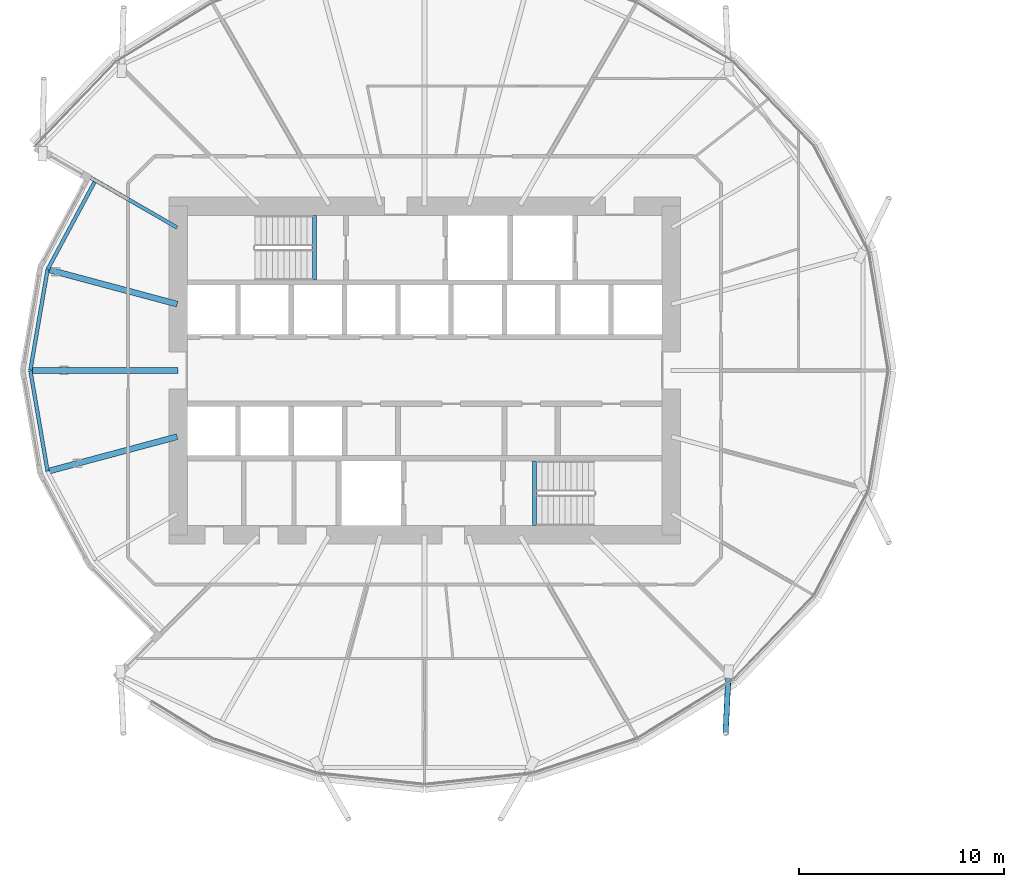
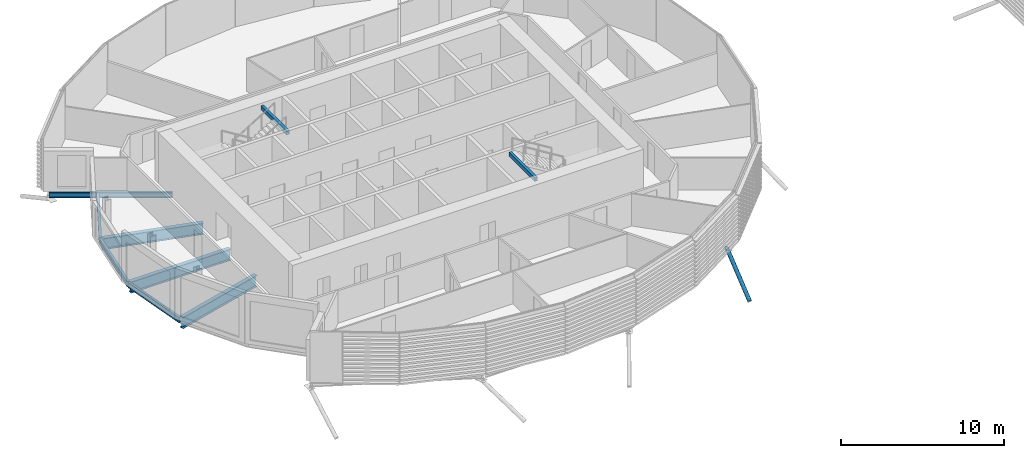
# One storey, part 5 of 38: 9 beams, 1 member.
"""IFC4 building model written with IfcOpenShell, lengths in metres."""

import ifcopenshell
import ifcopenshell.guid

model = None  # the IFC model being written
_history = None  # IfcOwnerHistory: only IFC2X3 demands one
_inside = {}  # id of a spatial element -> (the spatial element, [elements in it])
_under = {}  # id of a project, library or spatial element -> (it, [spatial elements below it])
_declared = {}  # id of a project -> (the project, [libraries it declares])
_typed = {}  # id of a type object -> (the type object, [elements of that type])
_made_of = {}  # id of a material, layer set ... -> (it, [elements and type objects made of it])


def new_model(schema):
    """Start an empty IFC model of exactly this schema.

    Asked for "IFC4X3", IfcOpenShell would pick the latest addendum, in which some entities
    have other attributes; the version numbers below select the first issue.
    IFC2X3 requires an IfcOwnerHistory on every rooted entity: one is made here for all.
    """
    global model, _history
    if schema == "IFC4X3":
        model = ifcopenshell.file(schema_version=(4, 3, 0, 0))
    else:
        model = ifcopenshell.file(schema=schema)
    _inside.clear()
    _under.clear()
    _declared.clear()
    _typed.clear()
    _made_of.clear()
    _history = None
    if model.schema == "IFC2X3":
        org = make("IfcOrganization", Name="unknown")
        user = make(
            "IfcPersonAndOrganization",
            ThePerson=make("IfcPerson", FamilyName="unknown"),
            TheOrganization=org,
        )
        app = make(
            "IfcApplication",
            ApplicationDeveloper=org,
            Version="unknown",
            ApplicationFullName="unknown",
            ApplicationIdentifier="unknown",
        )
        _history = make(
            "IfcOwnerHistory",
            OwningUser=user,
            OwningApplication=app,
            ChangeAction="ADDED",
            CreationDate=0,
        )
    return model


def make(cls, **values):
    """One entity of the class cls with the attributes given. An attribute that is None is left unset."""
    return model.create_entity(
        cls, **{name: value for name, value in values.items() if value is not None}
    )


def rooted(cls, **values):
    """An entity with a GlobalId (a new one), such as an element, a storey or a relation."""
    return make(cls, GlobalId=ifcopenshell.guid.new(), OwnerHistory=_history, **values)


def si_unit(unit_type, name, prefix=None):
    """IfcSIUnit, for example si_unit("LENGTHUNIT", "METRE", prefix="MILLI")."""
    return make("IfcSIUnit", UnitType=unit_type, Prefix=prefix, Name=name)


def assignment(units):
    """IfcUnitAssignment: the units of a project."""
    return None if units is None else make("IfcUnitAssignment", Units=units)


def point(xyz):
    """IfcCartesianPoint."""
    return None if xyz is None else make("IfcCartesianPoint", Coordinates=xyz)


def direction(xyz):
    """IfcDirection."""
    return None if xyz is None else make("IfcDirection", DirectionRatios=xyz)


def frame(location, z_axis=None, x_axis=None):
    """IfcAxis2Placement3D, a coordinate frame: its origin and axes. An axis left out is left unset."""
    return make(
        "IfcAxis2Placement3D",
        Location=point(location),
        Axis=direction(z_axis),
        RefDirection=direction(x_axis),
    )


def frame_2d(location, x_axis=None):
    """IfcAxis2Placement2D, a coordinate frame in the plane: its origin and x axis."""
    return make(
        "IfcAxis2Placement2D", Location=point(location), RefDirection=direction(x_axis)
    )


def origin():
    """The frame at (0, 0, 0) with its axes left unset."""
    return frame((0.0, 0.0, 0.0))


def origin_2d():
    """The frame at (0, 0) in the plane with its x axis left unset."""
    return frame_2d((0.0, 0.0))


def place(relative_to, where):
    """IfcLocalPlacement: puts the frame where relative to a parent placement (None: the world)."""
    return make(
        "IfcLocalPlacement", PlacementRelTo=relative_to, RelativePlacement=where
    )


def context(
    kind, dimensions, precision=None, world=None, true_north=None, identifier=None
):
    """IfcGeometricRepresentationContext, for example the 3D "Model" context."""
    return make(
        "IfcGeometricRepresentationContext",
        ContextIdentifier=identifier,
        ContextType=kind,
        CoordinateSpaceDimension=dimensions,
        Precision=precision,
        WorldCoordinateSystem=world,
        TrueNorth=true_north,
    )


def subcontext(parent, identifier, kind, view, scale=None):
    """IfcGeometricRepresentationSubContext, for example "Body" below "Model"."""
    return make(
        "IfcGeometricRepresentationSubContext",
        ContextIdentifier=identifier,
        ContextType=kind,
        ParentContext=parent,
        TargetScale=scale,
        TargetView=view,
    )


def project(units=None, contexts=None):
    """IfcProject with its units and contexts."""
    return rooted(
        "IfcProject",
        Name="project",
        RepresentationContexts=contexts,
        UnitsInContext=assignment(units),
    )


def spatial(cls, under=None, at=None, **own):
    """A site, building, storey or space (cls), placed at a placement, below another one or the project."""
    s = rooted(cls, ObjectPlacement=at, **own)
    if under is not None:
        _under.setdefault(under.id(), (under, []))[1].append(s)
    return s


def profile(cls, at=None, kind="AREA", **sizes):
    """A parametric profile (cls). Its sizes go by their IFC names, for example OverallWidth=200.0."""
    return make(cls, ProfileType=kind, Position=at, **sizes)


def hollow_rectangle(**sizes):
    """IfcRectangleHollowProfileDef."""
    return profile("IfcRectangleHollowProfileDef", **sizes)


def hollow_circle(**sizes):
    """IfcCircleHollowProfileDef."""
    return profile("IfcCircleHollowProfileDef", **sizes)


def i_section(**sizes):
    """IfcIShapeProfileDef."""
    return profile("IfcIShapeProfileDef", **sizes)


def extrude(swept, where, along, depth):
    """IfcExtrudedAreaSolid: the profile swept, set in the frame where, extruded along a direction by depth."""
    return make(
        "IfcExtrudedAreaSolid",
        SweptArea=swept,
        Position=where,
        ExtrudedDirection=direction(along),
        Depth=depth,
    )


def clip(a, b, op="DIFFERENCE"):
    """IfcBooleanClippingResult: the solid a cut by the half space b."""
    return make(
        "IfcBooleanClippingResult", Operator=op, FirstOperand=a, SecondOperand=b
    )


def halfspace(plane, agree):
    """IfcHalfSpaceSolid: all space on one side of the plane z = 0 of the frame plane."""
    return make(
        "IfcHalfSpaceSolid",
        BaseSurface=make("IfcPlane", Position=plane),
        AgreementFlag=agree,
    )


def shape(context_of_items, identifier, shape_type, items):
    """IfcShapeRepresentation: the items that make up one representation, for example the "Body"."""
    return make(
        "IfcShapeRepresentation",
        ContextOfItems=context_of_items,
        RepresentationIdentifier=identifier,
        RepresentationType=shape_type,
        Items=items,
    )


def material(Name=None, Category=None):
    """IfcMaterial."""
    return make("IfcMaterial", Name=Name, Category=Category)


def material_profile(
    of_material, cross_section, Name=None, Category=None, Priority=None
):
    """IfcMaterialProfile: a cross section and its material."""
    return make(
        "IfcMaterialProfile",
        Name=Name,
        Material=of_material,
        Profile=cross_section,
        Priority=Priority,
        Category=Category,
    )


def profile_set(profiles, Name=None, composite=None):
    """IfcMaterialProfileSet."""
    return make(
        "IfcMaterialProfileSet",
        Name=Name,
        MaterialProfiles=profiles,
        CompositeProfile=composite,
    )


def made_of(thing, what):
    """Note that an element or type object is made of a material, layer set ...; save() writes the relation."""
    if what is not None:
        _made_of.setdefault(what.id(), (what, []))[1].append(thing)
    return thing


def type_object(cls, material=None, **own):
    """A type object (cls), such as IfcWallType, which elements share."""
    return made_of(rooted(cls, **own), material)


def element(
    cls,
    number,
    at=None,
    inside=None,
    cuts=None,
    type_object=None,
    material=None,
    context=None,
    identifier="Body",
    shape_type=None,
    held_by="IfcProductDefinitionShape",
    body=None,
    shapes=None,
    **own,
):
    """One element of the class cls, such as IfcWall. Its Tag is "e" and its number.

    at: its placement. inside: the storey or other place that contains it. cuts: it is an
    opening in that element (IfcRelVoidsElement). A single representation is given by context,
    identifier, shape_type and body (its items); several are given by shapes. held_by: the class
    of the entity that holds the representations. save() writes the other relations.
    """
    e = rooted(cls, Tag="e%d" % number, ObjectPlacement=at, **own)
    if body is not None:
        shapes = [shape(context, identifier, shape_type, body)]
    if shapes is not None:
        e.Representation = make(held_by, Representations=shapes)
    if inside is not None:
        _inside.setdefault(inside.id(), (inside, []))[1].append(e)
    if cuts is not None:
        rooted(
            "IfcRelVoidsElement", RelatingBuildingElement=cuts, RelatedOpeningElement=e
        )
    if type_object is not None:
        _typed.setdefault(type_object.id(), (type_object, []))[1].append(e)
    return made_of(e, material)


def aggregate(whole, parts):
    """IfcRelAggregates: a whole, such as a stair, and the parts it consists of."""
    return rooted("IfcRelAggregates", RelatingObject=whole, RelatedObjects=parts)


def save(model, path):
    """Write the relations noted so far, then the file.

    IfcRelAggregates (storeys below a building ...), IfcRelContainedInSpatialStructure (elements
    in a storey), IfcRelDefinesByType, IfcRelAssociatesMaterial and IfcRelDeclares: one each for
    every whole, place, type object, material and project.
    """
    for whole, parts in _under.values():
        aggregate(whole, parts)
    for where, things in _inside.values():
        rooted(
            "IfcRelContainedInSpatialStructure",
            RelatedElements=things,
            RelatingStructure=where,
        )
    for kind, things in _typed.values():
        rooted("IfcRelDefinesByType", RelatedObjects=things, RelatingType=kind)
    for what, things in _made_of.values():
        rooted("IfcRelAssociatesMaterial", RelatedObjects=things, RelatingMaterial=what)
    for by, libraries in _declared.values():
        rooted("IfcRelDeclares", RelatingContext=by, RelatedDefinitions=libraries)
    model.write(path)


model = new_model("IFC4")

# Units and contexts
model_context = context("Model", 3, precision=1e-05, world=origin(), true_north=direction((0.0, 1.0)))
body_context = subcontext(model_context, "Body", "Model", "MODEL_VIEW")
ifc_project = project(units=[si_unit("LENGTHUNIT", "METRE"), si_unit("AREAUNIT", "SQUARE_METRE"), si_unit("VOLUMEUNIT", "CUBIC_METRE"), si_unit("PLANEANGLEUNIT", "RADIAN"), si_unit("MASSUNIT", "GRAM", prefix="KILO")], contexts=[model_context])

# Site, building, storey
site_placement = place(None, origin())
site = spatial("IfcSite", under=ifc_project, at=site_placement, CompositionType="ELEMENT")
building_placement = place(site_placement, origin())
building = spatial("IfcBuilding", under=site, at=building_placement, Name="Rimbun Link Towers", CompositionType="ELEMENT")
storey_placement = place(building_placement, frame((0.0, 0.0, 49.0)))
storey = spatial("IfcBuildingStorey", under=building, at=storey_placement, Name="L11", CompositionType="ELEMENT", Elevation=49.0)

# Member
ifc_material_1 = material(Name="Steel S355J2H", Category="steel")
ifc_material_profile_1 = material_profile(ifc_material_1, hollow_circle(Radius=0.136474609375, WallThickness=0.012451171875, at=origin_2d()), Name="CHS 273x12.5")
ifc_profile_set_1 = profile_set([ifc_material_profile_1], Name="Steel S355J2H")
member_type = type_object("IfcMemberType", Name="Floor edge link CHS 273x12.5", PredefinedType="BRACE", material=ifc_profile_set_1)
member_placement = place(storey_placement, frame((-16.953857421875, -14.796142578125, -0.806396484375), z_axis=(-0.040678505823, -0.826966811341, -0.560777274953), x_axis=(0.998792362562, -0.049130606427, 0.0)))
element("IfcMember", 1, at=member_placement, inside=storey, type_object=member_type, Name="Floor edge link T1 L11 21", PredefinedType="BRACE", context=body_context, shape_type="Clipping", body=[
    clip(extrude(hollow_circle(Radius=0.136474609375, WallThickness=0.012451171875, at=origin_2d()), frame((0.0, 0.0, -0.4208984375)), (0.0, 0.0, 1.0), 3.919921875), halfspace(frame((0.0, 0.0, -0.198486328125), z_axis=(0.0, 0.827966694919, -0.560777274953)), False)),
])

# Beams
ifc_material_2 = material(Name="Steel S355J2", Category="steel")
ifc_material_profile_2 = material_profile(ifc_material_2, hollow_rectangle(XDim=0.199951171875, YDim=0.300048828125, WallThickness=0.011962890625, at=origin_2d()), Name="BOX 300x200x12")
ifc_profile_set_2 = profile_set([ifc_material_profile_2], Name="Steel S355J2")
beam_type_1 = type_object("IfcBeamType", Name="Stair trimmer beam BOX 300x200x12", PredefinedType="BEAM", material=ifc_profile_set_2)
for number, where, z_axis, x_axis, name in (
    (2, (-37.10009765625, 7.550048828125, 3.489990234375), (0.0, -1.0, 0.0), (1.0, 0.0, 0.0), "L11 ST1 stair beam 1"),
    (3, (-26.39990234375, -7.550048828125, 3.489990234375), (0.0, 1.0, 0.0), (-1.0, 0.0, 0.0), "L11 ST2 stair beam 1"),
):
    element("IfcBeam", number, at=place(storey_placement, frame(where, z_axis=z_axis, x_axis=x_axis)), inside=storey, type_object=beam_type_1, Name=name, PredefinedType="BEAM", context=body_context, shape_type="SweptSolid", body=[
        extrude(hollow_rectangle(XDim=0.199951171875, YDim=0.300048828125, WallThickness=0.011962890625, at=origin_2d()), origin(), (0.0, 0.0, 1.0), 3.150146484375),
    ])
ifc_material_3 = material(Name="Steel S355J2", Category="steel")
ifc_material_profile_3 = material_profile(ifc_material_3, i_section(OverallWidth=0.177978515625, OverallDepth=0.406494140625, WebThickness=0.0078125, FlangeThickness=0.0126953125, at=origin_2d()), Name="UB 406x178x60")
ifc_profile_set_3 = profile_set([ifc_material_profile_3], Name="Steel S355J2")
beam_type_2 = type_object("IfcBeamType", Name="UB 406x178x60", PredefinedType="BEAM", material=ifc_profile_set_3)
beam_1_placement = place(storey_placement, frame((-43.79541015625, 6.954345703125, -0.36328125), z_axis=(-0.866024000778, 0.50000243007, 0.0), x_axis=(-0.50000243007, -0.866024000778, 0.0)))
element("IfcBeam", 4, at=beam_1_placement, inside=storey, type_object=beam_type_2, Name="Radial beam T1 L11 10", PredefinedType="BEAM", context=body_context, shape_type="SweptSolid", body=[
    extrude(i_section(OverallWidth=0.177978515625, OverallDepth=0.406494140625, WebThickness=0.0078125, FlangeThickness=0.0126953125, at=origin_2d()), origin(), (0.0, 0.0, 1.0), 7.5986328125),
])
beam_2_placement = place(storey_placement, frame((-47.814208984375, 9.167724609375, -0.36328125), z_axis=(-0.473249180434, -0.880928608469, 0.0), x_axis=(0.880928608469, -0.473249180434, 0.0)))
element("IfcBeam", 5, at=beam_2_placement, inside=storey, type_object=beam_type_2, Name="Edge beam T1 L11 10 recess", PredefinedType="BEAM", context=body_context, shape_type="SweptSolid", body=[
    extrude(i_section(OverallWidth=0.177978515625, OverallDepth=0.406494140625, WebThickness=0.0078125, FlangeThickness=0.0126953125, at=origin_2d()), origin(), (0.0, 0.0, 1.0), 4.810546875),
])
for number, where, z_axis, x_axis, name in (
    (6, (-50.1005859375, 4.901123046875, -0.36328125), (-0.168479758533, -0.985705113594, 0.0), (0.985705113594, -0.168479758533, 0.0), "Edge beam T1 L11 11 recess"),
    (7, (-50.935546875, -0.01611328125, -0.36328125), (0.168479758533, -0.985705113594, 0.0), (0.985705113594, 0.168479758533, 0.0), "Edge beam T1 L11 12 recess"),
):
    element("IfcBeam", number, at=place(storey_placement, frame(where, z_axis=z_axis, x_axis=x_axis)), inside=storey, type_object=beam_type_2, Name=name, PredefinedType="BEAM", context=body_context, shape_type="SweptSolid", body=[
        extrude(i_section(OverallWidth=0.177978515625, OverallDepth=0.406494140625, WebThickness=0.0078125, FlangeThickness=0.0126953125, at=origin_2d()), origin(), (0.0, 0.0, 1.0), 4.955810546875),
    ])
ifc_material_4 = material(Name="Steel S355J2", Category="steel")
ifc_material_profile_4 = material_profile(ifc_material_4, i_section(OverallWidth=0.29248046875, OverallDepth=0.8408203125, WebThickness=0.0126953125, FlangeThickness=0.021728515625, at=origin_2d()), Name="UB 838x292x194")
ifc_profile_set_4 = profile_set([ifc_material_profile_4], Name="Steel S355J2")
beam_type_3 = type_object("IfcBeamType", Name="UB 838x292x194", PredefinedType="BEAM", material=ifc_profile_set_4)
beam_3_placement = place(storey_placement, frame((-43.788818359375, 3.225830078125, -0.580322265625), z_axis=(-0.965925382081, 0.258820702905, 0.0), x_axis=(-0.258820702905, -0.965925382081, 0.0)))
element("IfcBeam", 8, at=beam_3_placement, inside=storey, type_object=beam_type_3, Name="Radial beam T1 L11 11", PredefinedType="BEAM", context=body_context, shape_type="SweptSolid", body=[
    extrude(i_section(OverallWidth=0.29248046875, OverallDepth=0.8408203125, WebThickness=0.0126953125, FlangeThickness=0.021728515625, at=origin_2d()), origin(), (0.0, 0.0, 1.0), 6.441650390625),
])
beam_4_placement = place(storey_placement, frame((-43.7509765625, 0.0, -0.580322265625), z_axis=(-1.0, 0.0, 0.0), x_axis=(0.0, -1.0, 0.0)))
element("IfcBeam", 9, at=beam_4_placement, inside=storey, type_object=beam_type_3, Name="Radial beam T1 L11 12", PredefinedType="BEAM", context=body_context, shape_type="SweptSolid", body=[
    extrude(i_section(OverallWidth=0.29248046875, OverallDepth=0.8408203125, WebThickness=0.0126953125, FlangeThickness=0.021728515625, at=origin_2d()), origin(), (0.0, 0.0, 1.0), 7.097412109375),
])
beam_5_placement = place(storey_placement, frame((-43.788818359375, -3.225830078125, -0.580322265625), z_axis=(-0.965925382081, -0.258820702905, 0.0), x_axis=(0.258820702905, -0.965925382081, 0.0)))
element("IfcBeam", 10, at=beam_5_placement, inside=storey, type_object=beam_type_3, Name="Radial beam T1 L11 13", PredefinedType="BEAM", context=body_context, shape_type="SweptSolid", body=[
    extrude(i_section(OverallWidth=0.29248046875, OverallDepth=0.8408203125, WebThickness=0.0126953125, FlangeThickness=0.021728515625, at=origin_2d()), origin(), (0.0, 0.0, 1.0), 6.441650390625),
])

save(model, "model.ifc")
